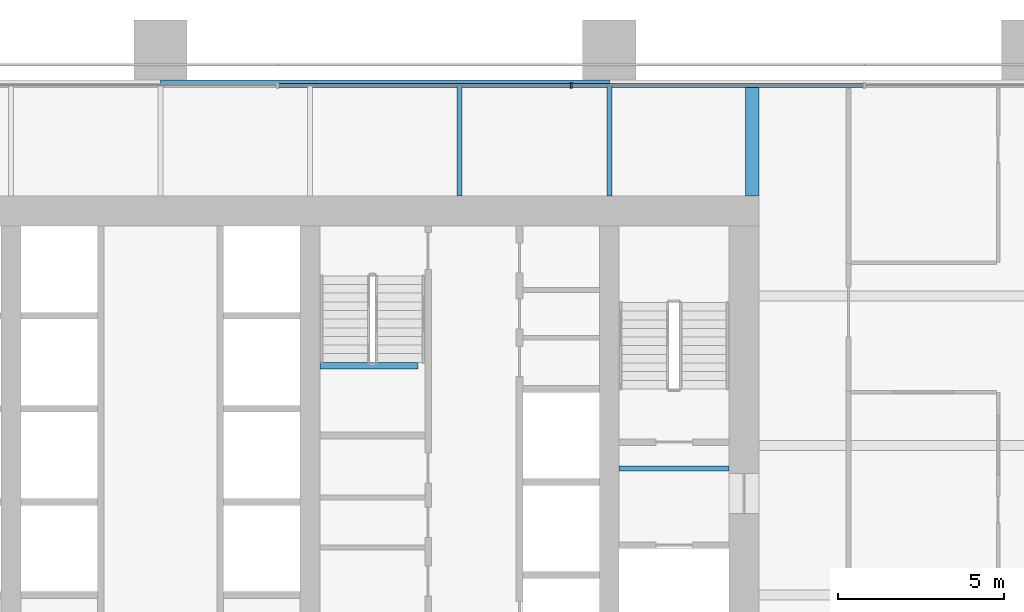
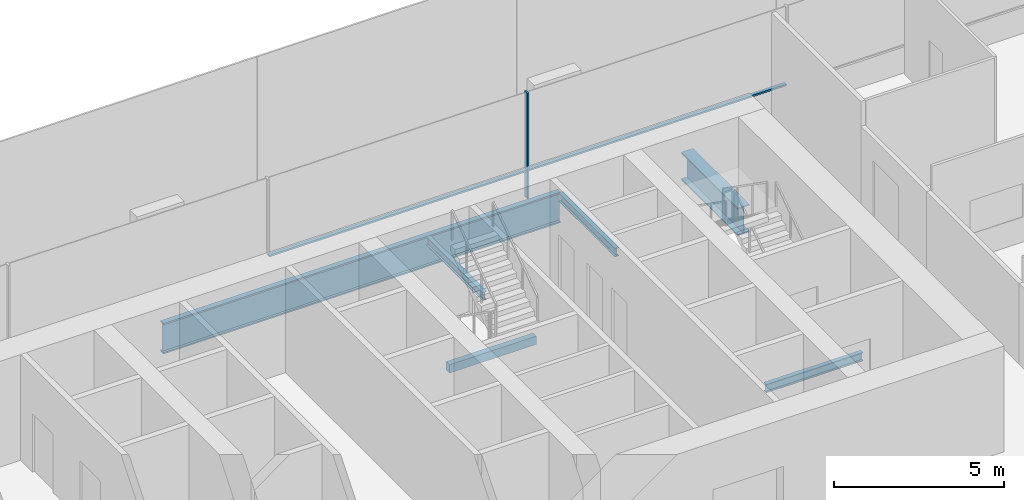
# One storey, part 9 of 19: 6 beams, 3 members, 1 element without a shape of its own.
"""IFC4 building model written with IfcOpenShell, lengths in metres."""

from ifc_helpers import new_model, si_unit, direction, frame, origin, origin_2d, place, context, subcontext, project, spatial, rectangle, i_section, extrude, material, material_profile, profile_set, type_object, element, aggregate, save


model = new_model("IFC4")

# Units and contexts
model_context = context("Model", 3, precision=1e-05, world=origin(), true_north=direction((0.0, 1.0)))
body_context = subcontext(model_context, "Body", "Model", "MODEL_VIEW")
ifc_project = project(units=[si_unit("LENGTHUNIT", "METRE"), si_unit("AREAUNIT", "SQUARE_METRE"), si_unit("VOLUMEUNIT", "CUBIC_METRE"), si_unit("PLANEANGLEUNIT", "RADIAN"), si_unit("MASSUNIT", "GRAM", prefix="KILO")], contexts=[model_context])

# Site, building, storey
site_placement = place(None, origin())
site = spatial("IfcSite", under=ifc_project, at=site_placement, CompositionType="ELEMENT")
building_placement = place(site_placement, origin())
building = spatial("IfcBuilding", under=site, at=building_placement, Name="Rattan Terrace Tower", CompositionType="ELEMENT")
storey_placement = place(building_placement, frame((0.0, 0.0, 91.699951171875)))
storey = spatial("IfcBuildingStorey", under=building, at=storey_placement, Name="L20", CompositionType="ELEMENT", Elevation=91.699951171875)

# Beam
ifc_material_1 = material(Name="Concrete C40/50", Category="concrete")
ifc_material_profile_1 = material_profile(ifc_material_1, rectangle(XDim=0.199951171875, YDim=0.300048828125, at=origin_2d()), Name="RC 200x300")
ifc_profile_set_1 = profile_set([ifc_material_profile_1], Name="Concrete C40/50")
beam_type_1 = type_object("IfcBeamType", Name="Core landing beam RC 200x300", PredefinedType="BEAM", material=ifc_profile_set_1)
beam_1_placement = place(storey_placement, frame((4.800048828125, 2.39990234375, 1.650146484375), z_axis=(1.0, 0.0, 0.0), x_axis=(0.0, 1.0, 0.0)))
element("IfcBeam", 1, at=beam_1_placement, inside=storey, type_object=beam_type_1, Name="st-S3-L20 landing 1 edge beam", PredefinedType="BEAM", context=body_context, shape_type="SweptSolid", body=[
    extrude(rectangle(XDim=0.199951171875, YDim=0.300048828125, at=origin_2d()), origin(), (0.0, 0.0, 1.0), 2.949951171875),
])

# Curtain wall, members
ifc_material_2 = material(Name="Aluminium and glass", Category="aluminium")
curtain_wall_type = type_object("IfcCurtainWallType", Name="Facade Unitised Curtain Wall", PredefinedType="NOTDEFINED", material=ifc_material_2)
curtain_wall_placement = place(storey_placement, origin())
curtain_wall = element("IfcCurtainWall", 2, at=curtain_wall_placement, inside=storey, type_object=curtain_wall_type, Name="Curtain wall L20-2", PredefinedType="NOTDEFINED")
ifc_material_3 = material(Name="Aluminium", Category="aluminium")
ifc_material_profile_2 = material_profile(ifc_material_3, rectangle(XDim=0.06005859375, YDim=0.159912109375, at=origin_2d()), Name="Aluminium 60x160")
ifc_profile_set_2 = profile_set([ifc_material_profile_2], Name="Aluminium")
member_type_1 = type_object("IfcMemberType", Name="Facade CW Mullion 60x160", PredefinedType="MULLION", material=ifc_profile_set_2)
member_1_placement = place(storey_placement, frame((12.35400390625, 10.830078125, 0.0), z_axis=(0.0, 0.0, 1.0), x_axis=(-1.0, 0.0, 0.0)))
member_1 = element("IfcMember", 3, at=member_1_placement, type_object=member_type_1, Name="Mullion cwl-L20-002.3", PredefinedType="MULLION", context=body_context, shape_type="SweptSolid", body=[
    extrude(rectangle(XDim=0.06005859375, YDim=0.159912109375, at=origin_2d()), origin(), (0.0, 0.0, 1.0), 3.800048828125),
])
ifc_material_4 = material(Name="Aluminium", Category="aluminium")
ifc_material_profile_3 = material_profile(ifc_material_4, rectangle(XDim=0.1201171875, YDim=0.06005859375, at=origin_2d()), Name="Aluminium 120x60")
ifc_profile_set_3 = profile_set([ifc_material_profile_3], Name="Aluminium")
member_type_2 = type_object("IfcMemberType", Name="Facade CW Transom 120x60", PredefinedType="USERDEFINED", material=ifc_profile_set_3)
member_2_placement = place(storey_placement, frame((21.14697265625, 10.830078125, 1.0), z_axis=(-1.0, 0.0, 0.0), x_axis=(0.0, -1.0, 0.0)))
member_2 = element("IfcMember", 4, at=member_2_placement, type_object=member_type_2, Name="Transom cwl-L20-002.2", ObjectType="TRANSOM", PredefinedType="USERDEFINED", context=body_context, shape_type="SweptSolid", body=[
    extrude(rectangle(XDim=0.1201171875, YDim=0.06005859375, at=origin_2d()), origin(), (0.0, 0.0, 1.0), 8.762939453125),
])
member_3_placement = place(storey_placement, frame((12.323974609375, 10.830078125, 1.0), z_axis=(-1.0, 0.0, 0.0), x_axis=(0.0, -1.0, 0.0)))
member_3 = element("IfcMember", 5, at=member_3_placement, type_object=member_type_2, Name="Transom cwl-L20-002.3", ObjectType="TRANSOM", PredefinedType="USERDEFINED", context=body_context, shape_type="SweptSolid", body=[
    extrude(rectangle(XDim=0.1201171875, YDim=0.06005859375, at=origin_2d()), origin(), (0.0, 0.0, 1.0), 8.762939453125),
])
aggregate(curtain_wall, [member_1, member_2, member_3])

# Beams
ifc_material_5 = material(Name="Steel S460", Category="steel")
ifc_material_profile_4 = material_profile(ifc_material_5, i_section(OverallWidth=0.39990234375, OverallDepth=1.0, WebThickness=0.01806640625, FlangeThickness=0.044921875, at=origin_2d()), Name="PG 1000x400-18-45")
ifc_profile_set_4 = profile_set([ifc_material_profile_4], Name="Steel S460")
beam_type_2 = type_object("IfcBeamType", Name="Frame core girder PG 1000x400-18-45", PredefinedType="BEAM", material=ifc_profile_set_4)
beam_2_placement = place(storey_placement, frame((17.800048828125, 7.5, -0.699951171875), z_axis=(0.0, 1.0, 0.0), x_axis=(-1.0, 0.0, 0.0)))
element("IfcBeam", 6, at=beam_2_placement, inside=storey, type_object=beam_type_2, Name="gdr-L20-010", PredefinedType="BEAM", context=body_context, shape_type="SweptSolid", body=[
    extrude(i_section(OverallWidth=0.39990234375, OverallDepth=1.0, WebThickness=0.01806640625, FlangeThickness=0.044921875, at=origin_2d()), origin(), (0.0, 0.0, 1.0), 3.320068359375),
])
ifc_material_6 = material(Name="Steel S460", Category="steel")
ifc_material_profile_5 = material_profile(ifc_material_6, i_section(OverallWidth=0.179931640625, OverallDepth=1.10009765625, WebThickness=0.01611328125, FlangeThickness=0.050048828125, at=origin_2d()), Name="PG 1100x180-16-50")
ifc_profile_set_5 = profile_set([ifc_material_profile_5], Name="Steel S460")
beam_type_3 = type_object("IfcBeamType", Name="Frame edge girder PG 1100x180-16-50", PredefinedType="SPANDREL", material=ifc_profile_set_5)
beam_3_placement = place(storey_placement, frame((13.5, 10.909912109375, -0.75), z_axis=(-1.0, 0.0, 0.0), x_axis=(0.0, -1.0, 0.0)))
element("IfcBeam", 7, at=beam_3_placement, inside=storey, type_object=beam_type_3, Name="gdr-L20-007", PredefinedType="SPANDREL", context=body_context, shape_type="SweptSolid", body=[
    extrude(i_section(OverallWidth=0.179931640625, OverallDepth=1.10009765625, WebThickness=0.01611328125, FlangeThickness=0.050048828125, at=origin_2d()), origin(), (0.0, 0.0, 1.0), 13.5),
])
ifc_material_7 = material(Name="Steel S355", Category="steel")
ifc_material_profile_6 = material_profile(ifc_material_7, i_section(OverallWidth=0.14990234375, OverallDepth=0.300048828125, WebThickness=0.007080078125, FlangeThickness=0.0107421875, FilletRadius=0.014892578125, at=origin_2d()), Name="IPE 300")
ifc_profile_set_6 = profile_set([ifc_material_profile_6], Name="Steel S355")
beam_type_4 = type_object("IfcBeamType", Name="Frame floor beam IPE 300", PredefinedType="JOIST", material=ifc_profile_set_6)
beam_4_placement = place(storey_placement, frame((13.800048828125, -0.695068359375, -0.349853515625), z_axis=(1.0, 0.0, 0.0), x_axis=(0.0, 1.0, 0.0)))
element("IfcBeam", 8, at=beam_4_placement, inside=storey, type_object=beam_type_4, Name="bm-L20-002", PredefinedType="JOIST", context=body_context, shape_type="SweptSolid", body=[
    extrude(i_section(OverallWidth=0.14990234375, OverallDepth=0.300048828125, WebThickness=0.007080078125, FlangeThickness=0.0107421875, FilletRadius=0.014892578125, at=origin_2d()), origin(), (0.0, 0.0, 1.0), 3.300048828125),
])
for number, where, z_axis, x_axis, name in (
    (9, (9.0, 7.5, -0.349853515625), (0.0, 1.0, 0.0), (-1.0, 0.0, 0.0), "bm-L20-023"),
    (10, (13.5, 7.5, -0.349853515625), (0.0, 1.0, 0.0), (-1.0, 0.0, 0.0), "bm-L20-024"),
):
    element("IfcBeam", number, at=place(storey_placement, frame(where, z_axis=z_axis, x_axis=x_axis)), inside=storey, type_object=beam_type_4, Name=name, PredefinedType="JOIST", context=body_context, shape_type="SweptSolid", body=[
        extrude(i_section(OverallWidth=0.14990234375, OverallDepth=0.300048828125, WebThickness=0.007080078125, FlangeThickness=0.0107421875, FilletRadius=0.014892578125, at=origin_2d()), origin(), (0.0, 0.0, 1.0), 3.320068359375),
    ])

save(model, "model.ifc")
